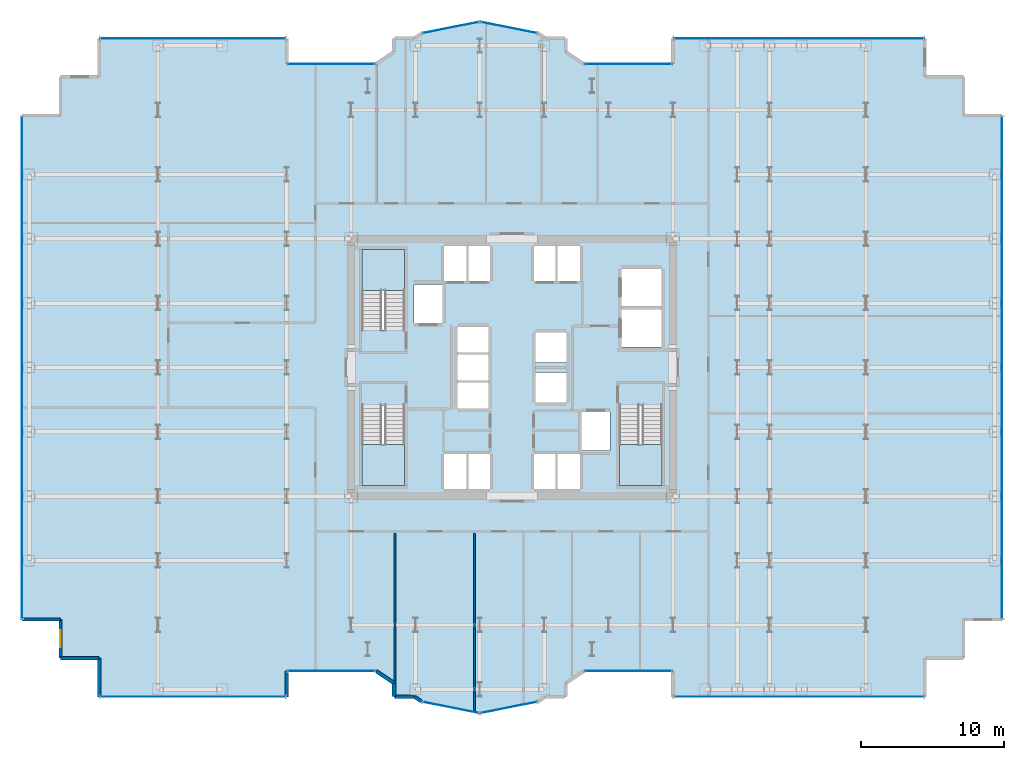
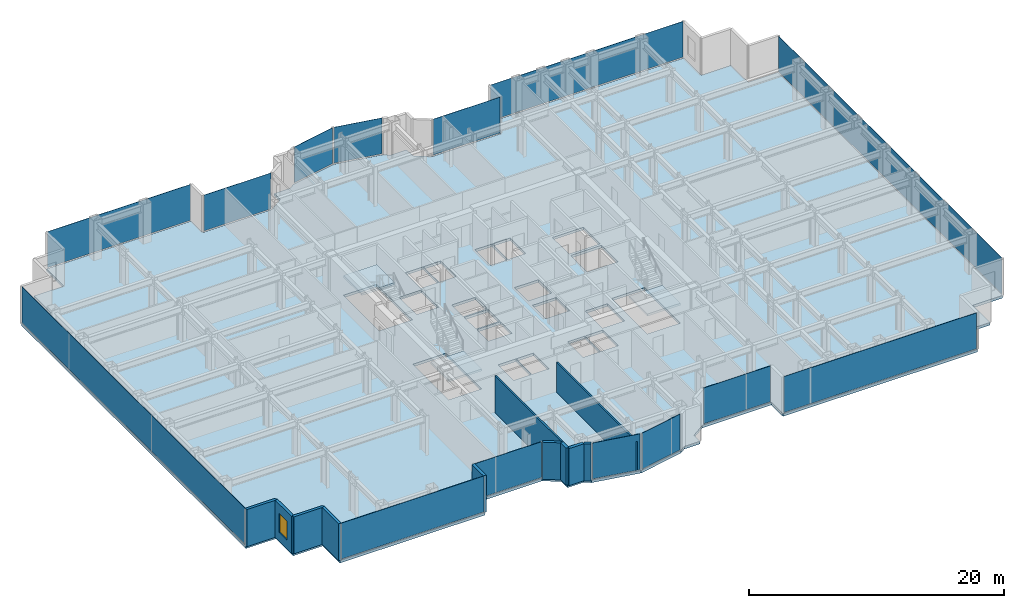
# One storey, part 19 of 25: 14 plates, 11 walls, 4 slabs, 1 window, 1 opening, 17 elements without a shape of their own.
"""IFC4 building model written with IfcOpenShell, lengths in metres."""

from ifc_helpers import new_model, si_unit, direction, frame, frame_2d, origin, origin_2d, place, context, subcontext, project, spatial, polyline, rectangle, outline, extrude, source, transform, mapped, material, layer, layer_set, type_object, element, fill, aggregate, save


model = new_model("IFC4")

# Units and contexts
model_context = context("Model", 3, precision=1e-05, world=origin(), true_north=direction((0.0, 1.0)))
body_context = subcontext(model_context, "Body", "Model", "MODEL_VIEW")
ifc_project = project(units=[si_unit("LENGTHUNIT", "METRE"), si_unit("AREAUNIT", "SQUARE_METRE"), si_unit("VOLUMEUNIT", "CUBIC_METRE"), si_unit("PLANEANGLEUNIT", "RADIAN"), si_unit("MASSUNIT", "GRAM", prefix="KILO")], contexts=[model_context])

# Site, building, storey
site_placement = place(None, origin())
site = spatial("IfcSite", under=ifc_project, at=site_placement, CompositionType="ELEMENT")
building_placement = place(site_placement, origin())
building = spatial("IfcBuilding", under=site, at=building_placement, Name="Nefas-Gora Pilgrimage Tower", CompositionType="ELEMENT")
storey_placement = place(building_placement, frame((0.0, 0.0, 109.800048828125)))
storey = spatial("IfcBuildingStorey", under=building, at=storey_placement, Name="L26", CompositionType="ELEMENT", Elevation=109.800048828125)

# Slab
ifc_material_1 = material(Name="Concrete C40/50", Category="concrete")
ifc_layer_1 = layer(ifc_material_1, 0.25)
ifc_layer_set_1 = layer_set([ifc_layer_1], Name="Concrete C40/50")
slab_type_1 = type_object("IfcSlabType", Name="SLB-TWR-250", PredefinedType="FLOOR", material=ifc_layer_set_1)
slab_1_placement = place(storey_placement, frame((0.0, 0.0, -0.25)))
element("IfcSlab", 1, at=slab_1_placement, inside=storey, type_object=slab_type_1, Name="L26 Structural Floor Slab", PredefinedType="FLOOR", context=body_context, shape_type="SweptSolid", body=[
    extrude(outline(polyline([(5.01806640625, -21.219970703125), (11.25, -21.219970703125), (11.25, -23.02001953125), (28.8701171875, -23.02001953125), (28.8701171875, -20.320068359375), (31.570068359375, -20.320068359375), (31.570068359375, -17.6201171875), (34.27001953125, -17.6201171875), (34.27001953125, 17.6201171875), (31.570068359375, 17.6201171875), (31.570068359375, 20.320068359375), (28.8701171875, 20.320068359375), (28.8701171875, 23.02001953125), (11.25, 23.02001953125), (11.25, 21.219970703125), (5.01806640625, 21.219970703125), (3.75, 22.0673828125), (3.75, 23.02001953125), (2.32421875, 23.02001953125), (1.807373046875, 23.365234375), (-2.25, 24.17236328125), (-6.307373046875, 23.365234375), (-6.82421875, 23.02001953125), (-8.25, 23.02001953125), (-8.25, 22.0673828125), (-9.51806640625, 21.219970703125), (-15.75, 21.219970703125), (-15.75, 23.02001953125), (-28.8701171875, 23.02001953125), (-28.8701171875, 20.320068359375), (-31.570068359375, 20.320068359375), (-31.570068359375, 17.6201171875), (-34.27001953125, 17.6201171875), (-34.27001953125, -17.6201171875), (-31.570068359375, -17.6201171875), (-31.570068359375, -20.320068359375), (-28.8701171875, -20.320068359375), (-28.8701171875, -23.02001953125), (-15.75, -23.02001953125), (-15.75, -21.219970703125), (-9.51806640625, -21.219970703125), (-8.25, -22.0673828125), (-8.25, -23.02001953125), (-6.82421875, -23.02001953125), (-6.307373046875, -23.365234375), (-2.25, -24.17236328125), (1.807373046875, -23.365234375), (2.32421875, -23.02001953125), (3.75, -23.02001953125), (3.75, -22.0673828125), (5.01806640625, -21.219970703125)]), holes=[polyline([(-10.5, 2.639892578125), (-10.5, 8.25), (-7.5, 8.25), (-7.5, 2.639892578125), (-10.5, 2.639892578125)]), polyline([(10.5, -2.639892578125), (10.5, -8.25), (7.5, -8.25), (7.5, -2.639892578125), (10.5, -2.639892578125)]), polyline([(-7.5, -2.639892578125), (-7.5, -8.25), (-10.5, -8.25), (-10.5, -2.639892578125), (-7.5, -2.639892578125)]), polyline([(-6.85009765625, 5.800048828125), (-4.85009765625, 5.800048828125), (-4.85009765625, 3.10009765625), (-6.85009765625, 3.10009765625), (-6.85009765625, 5.800048828125)]), polyline([(4.85009765625, -3.10009765625), (6.85009765625, -3.10009765625), (6.85009765625, -5.800048828125), (4.85009765625, -5.800048828125), (4.85009765625, -3.10009765625)]), polyline([(7.64990234375, 4.050048828125), (10.449951171875, 4.050048828125), (10.449951171875, 1.449951171875), (7.64990234375, 1.449951171875), (7.64990234375, 4.050048828125)]), polyline([(7.64990234375, 6.89990234375), (10.449951171875, 6.89990234375), (10.449951171875, 4.300048828125), (7.64990234375, 4.300048828125), (7.64990234375, 6.89990234375)]), polyline([(-4.75, 8.5), (-3.14990234375, 8.5), (-3.14990234375, 6.050048828125), (-4.75, 6.050048828125), (-4.75, 8.5)]), polyline([(-3.10009765625, 8.5), (-1.550048828125, 8.5), (-1.550048828125, 6.050048828125), (-3.10009765625, 6.050048828125), (-3.10009765625, 8.5)]), polyline([(1.550048828125, 8.5), (3.10009765625, 8.5), (3.10009765625, 6.050048828125), (1.550048828125, 6.050048828125), (1.550048828125, 8.5)]), polyline([(3.14990234375, 8.5), (4.75, 8.5), (4.75, 6.050048828125), (3.14990234375, 6.050048828125), (3.14990234375, 8.5)]), polyline([(-4.75, -6.050048828125), (-3.14990234375, -6.050048828125), (-3.14990234375, -8.5), (-4.75, -8.5), (-4.75, -6.050048828125)]), polyline([(-3.10009765625, -6.050048828125), (-1.550048828125, -6.050048828125), (-1.550048828125, -8.5), (-3.10009765625, -8.5), (-3.10009765625, -6.050048828125)]), polyline([(1.550048828125, -6.050048828125), (3.10009765625, -6.050048828125), (3.10009765625, -8.5), (1.550048828125, -8.5), (1.550048828125, -6.050048828125)]), polyline([(3.14990234375, -6.050048828125), (4.75, -6.050048828125), (4.75, -8.5), (3.14990234375, -8.5), (3.14990234375, -6.050048828125)]), polyline([(-3.800048828125, -1.050048828125), (-1.64990234375, -1.050048828125), (-1.64990234375, -2.85009765625), (-3.800048828125, -2.85009765625), (-3.800048828125, -1.050048828125)]), polyline([(-3.800048828125, 0.89990234375), (-1.64990234375, 0.89990234375), (-1.64990234375, -0.89990234375), (-3.800048828125, -0.89990234375), (-3.800048828125, 0.89990234375)]), polyline([(-3.800048828125, 2.85009765625), (-1.64990234375, 2.85009765625), (-1.64990234375, 1.050048828125), (-3.800048828125, 1.050048828125), (-3.800048828125, 2.85009765625)]), polyline([(1.64990234375, -0.35009765625), (3.800048828125, -0.35009765625), (3.800048828125, -2.449951171875), (1.64990234375, -2.449951171875), (1.64990234375, -0.35009765625)]), polyline([(1.64990234375, 2.449951171875), (3.800048828125, 2.449951171875), (3.800048828125, 0.35009765625), (1.64990234375, 0.35009765625), (1.64990234375, 2.449951171875)])]), origin(), (0.0, 0.0, 1.0), 0.25),
])

# Stair, slab
ifc_material_2 = material(Name="Concrete C45/55", Category="concrete")
stair_type = type_object("IfcStairType", Name="STR-1400-R1727", PredefinedType="HALF_TURN_STAIR", material=ifc_material_2)
stair_1_placement = place(storey_placement, origin())
stair_1 = element("IfcStair", 2, at=stair_1_placement, inside=storey, type_object=stair_type, Name="L26 Pressurised Tower Exit Stair ST-01", PredefinedType="HALF_TURN_STAIR")
ifc_layer_2 = layer(ifc_material_1, 0.199951171875)
ifc_layer_set_2 = layer_set([ifc_layer_2], Name="Concrete C40/50")
slab_type_2 = type_object("IfcSlabType", Name="STR-LAND-200", PredefinedType="LANDING", material=ifc_layer_set_2)
slab_2_placement = place(storey_placement, frame((0.0, 0.0, 1.699951171875)))
slab_2 = element("IfcSlab", 3, at=slab_2_placement, type_object=slab_type_2, Name="ST-01 landing 1", PredefinedType="LANDING", context=body_context, shape_type="SweptSolid", body=[
    extrude(outline(polyline([(-7.5, 5.39990234375), (-7.5, 8.25), (-10.5, 8.25), (-10.5, 5.39990234375), (-7.5, 5.39990234375)])), origin(), (0.0, 0.0, 1.0), 0.199951171875),
])
aggregate(stair_1, [slab_2])

stair_2_placement = place(storey_placement, origin())
stair_2 = element("IfcStair", 4, at=stair_2_placement, inside=storey, type_object=stair_type, Name="L26 Pressurised Tower Exit Stair ST-02", PredefinedType="HALF_TURN_STAIR")
slab_3_placement = place(storey_placement, frame((0.0, 0.0, 1.699951171875)))
slab_3 = element("IfcSlab", 5, at=slab_3_placement, type_object=slab_type_2, Name="ST-02 landing 1", PredefinedType="LANDING", context=body_context, shape_type="SweptSolid", body=[
    extrude(outline(polyline([(7.5, -5.39990234375), (7.5, -8.25), (10.5, -8.25), (10.5, -5.39990234375), (7.5, -5.39990234375)])), origin(), (0.0, 0.0, 1.0), 0.199951171875),
])
aggregate(stair_2, [slab_3])

stair_3_placement = place(storey_placement, origin())
stair_3 = element("IfcStair", 6, at=stair_3_placement, inside=storey, type_object=stair_type, Name="L26 Pressurised Tower Exit Stair ST-03", PredefinedType="HALF_TURN_STAIR")
slab_4_placement = place(storey_placement, frame((0.0, 0.0, 1.699951171875)))
slab_4 = element("IfcSlab", 7, at=slab_4_placement, type_object=slab_type_2, Name="ST-03 landing 1", PredefinedType="LANDING", context=body_context, shape_type="SweptSolid", body=[
    extrude(outline(polyline([(-10.5, -5.39990234375), (-10.5, -8.25), (-7.5, -8.25), (-7.5, -5.39990234375), (-10.5, -5.39990234375)])), origin(), (0.0, 0.0, 1.0), 0.199951171875),
])
aggregate(stair_3, [slab_4])

# Curtain wall, plate
ifc_material_3 = material(Name="Dark ceramic-fritted solar-control aluminium-glass curtain wall", Category="aluminium")
ifc_layer_3 = layer(ifc_material_3, 0.219970703125)
ifc_layer_set_3 = layer_set([ifc_layer_3], Name="Dark ceramic-fritted solar-control aluminium-glass curtain wall")
curtain_wall_type_1 = type_object("IfcCurtainWallType", Name="CW-SYS-5", PredefinedType="NOTDEFINED", material=ifc_layer_set_3)
curtain_wall_1_placement = place(storey_placement, origin())
curtain_wall_1 = element("IfcCurtainWall", 8, at=curtain_wall_1_placement, inside=storey, type_object=curtain_wall_type_1, Name="L26 Unitised Curtain Wall CW5", PredefinedType="NOTDEFINED")
ifc_material_4 = material(Name="Dark ceramic-printed low-e insulated glass", Category="glass")
ifc_layer_4 = layer(ifc_material_4, 0.028076171875)
ifc_layer_set_4 = layer_set([ifc_layer_4], Name="Dark ceramic-printed low-e insulated glass")
plate_type_1 = type_object("IfcPlateType", Name="CWP-PNL-5", PredefinedType="CURTAIN_PANEL", material=ifc_layer_set_4)
shared_shape_1 = source(origin(), body_context, "Body", "SweptSolid", [
    extrude(rectangle(XDim=6.052001953125, YDim=0.028076171875, at=origin_2d()), origin(), (0.0, 0.0, 1.0), 3.43994140625),
])
plate_1_placement = place(storey_placement, frame((8.134033203125, -21.219970703125, 0.10009765625), z_axis=(0.0, 0.0, 1.0), x_axis=(1.0, 0.0, 0.0)))
plate_1 = element("IfcPlate", 9, at=plate_1_placement, type_object=plate_type_1, Name="CW5 Ceramic-Fritted Glazing Panel 1", PredefinedType="CURTAIN_PANEL", context=body_context, shape_type="MappedRepresentation", body=[
    mapped(shared_shape_1, transform((0.0, 0.0, 0.0), x_axis=(1.0, 0.0, 0.0), y_axis=(0.0, 1.0, 0.0), z_axis=(0.0, 0.0, 1.0), scale=1.0)),
])
aggregate(curtain_wall_1, [plate_1])

curtain_wall_2_placement = place(storey_placement, origin())
curtain_wall_2 = element("IfcCurtainWall", 10, at=curtain_wall_2_placement, inside=storey, type_object=curtain_wall_type_1, Name="L26 Unitised Curtain Wall CW5", PredefinedType="NOTDEFINED")
plate_2_placement = place(storey_placement, frame((8.134033203125, 21.219970703125, 0.10009765625), z_axis=(0.0, 0.0, 1.0), x_axis=(-1.0, 0.0, 0.0)))
plate_2 = element("IfcPlate", 11, at=plate_2_placement, type_object=plate_type_1, Name="CW5 Ceramic-Fritted Glazing Panel 1", PredefinedType="CURTAIN_PANEL", context=body_context, shape_type="MappedRepresentation", body=[
    mapped(shared_shape_1, transform((0.0, 0.0, 0.0), x_axis=(1.0, 0.0, 0.0), y_axis=(0.0, 1.0, 0.0), z_axis=(0.0, 0.0, 1.0), scale=1.0)),
])
aggregate(curtain_wall_2, [plate_2])

curtain_wall_3_placement = place(storey_placement, origin())
curtain_wall_3 = element("IfcCurtainWall", 12, at=curtain_wall_3_placement, inside=storey, type_object=curtain_wall_type_1, Name="L26 Unitised Curtain Wall CW5", PredefinedType="NOTDEFINED")
plate_3_placement = place(storey_placement, frame((-12.634033203125, 21.219970703125, 0.10009765625), z_axis=(0.0, 0.0, 1.0), x_axis=(-1.0, 0.0, 0.0)))
plate_3 = element("IfcPlate", 13, at=plate_3_placement, type_object=plate_type_1, Name="CW5 Ceramic-Fritted Glazing Panel 1", PredefinedType="CURTAIN_PANEL", context=body_context, shape_type="MappedRepresentation", body=[
    mapped(shared_shape_1, transform((0.0, 0.0, 0.0), x_axis=(1.0, 0.0, 0.0), y_axis=(0.0, 1.0, 0.0), z_axis=(0.0, 0.0, 1.0), scale=1.0)),
])
aggregate(curtain_wall_3, [plate_3])

curtain_wall_4_placement = place(storey_placement, origin())
curtain_wall_4 = element("IfcCurtainWall", 14, at=curtain_wall_4_placement, inside=storey, type_object=curtain_wall_type_1, Name="L26 Unitised Curtain Wall CW5", PredefinedType="NOTDEFINED")
plate_4_placement = place(storey_placement, frame((-12.634033203125, -21.219970703125, 0.10009765625), z_axis=(0.0, 0.0, 1.0), x_axis=(1.0, 0.0, 0.0)))
plate_4 = element("IfcPlate", 15, at=plate_4_placement, type_object=plate_type_1, Name="CW5 Ceramic-Fritted Glazing Panel 1", PredefinedType="CURTAIN_PANEL", context=body_context, shape_type="MappedRepresentation", body=[
    mapped(shared_shape_1, transform((0.0, 0.0, 0.0), x_axis=(1.0, 0.0, 0.0), y_axis=(0.0, 1.0, 0.0), z_axis=(0.0, 0.0, 1.0), scale=1.0)),
])
aggregate(curtain_wall_4, [plate_4])

ifc_layer_5 = layer(ifc_material_3, 0.219970703125)
ifc_layer_set_5 = layer_set([ifc_layer_5], Name="Dark ceramic-fritted solar-control aluminium-glass curtain wall")
curtain_wall_type_2 = type_object("IfcCurtainWallType", Name="CW-SYS-2", PredefinedType="NOTDEFINED", material=ifc_layer_set_5)
curtain_wall_5_placement = place(storey_placement, origin())
curtain_wall_5 = element("IfcCurtainWall", 16, at=curtain_wall_5_placement, inside=storey, type_object=curtain_wall_type_2, Name="L26 Unitised Curtain Wall CW2", PredefinedType="NOTDEFINED")
ifc_layer_6 = layer(ifc_material_4, 0.031982421875)
ifc_layer_set_6 = layer_set([ifc_layer_6], Name="Dark ceramic-printed low-e insulated glass")
plate_type_2 = type_object("IfcPlateType", Name="CWP-PNL-2", PredefinedType="CURTAIN_PANEL", material=ifc_layer_set_6)
shared_shape_2 = source(origin(), body_context, "Body", "SweptSolid", [
    extrude(rectangle(XDim=17.43994140625, YDim=0.031982421875, at=origin_2d()), origin(), (0.0, 0.0, 1.0), 3.43994140625),
])
plate_5_placement = place(storey_placement, frame((20.06005859375, -23.02001953125, 0.10009765625), z_axis=(0.0, 0.0, 1.0), x_axis=(1.0, 0.0, 0.0)))
plate_5 = element("IfcPlate", 17, at=plate_5_placement, type_object=plate_type_2, Name="CW2 Ceramic-Fritted Glazing Panel 1", PredefinedType="CURTAIN_PANEL", context=body_context, shape_type="MappedRepresentation", body=[
    mapped(shared_shape_2, transform((0.0, 0.0, 0.0), x_axis=(1.0, 0.0, 0.0), y_axis=(0.0, 1.0, 0.0), z_axis=(0.0, 0.0, 1.0), scale=1.0)),
])
aggregate(curtain_wall_5, [plate_5])

curtain_wall_6_placement = place(storey_placement, origin())
curtain_wall_6 = element("IfcCurtainWall", 18, at=curtain_wall_6_placement, inside=storey, type_object=curtain_wall_type_2, Name="L26 Unitised Curtain Wall CW2", PredefinedType="NOTDEFINED")
plate_6_placement = place(storey_placement, frame((20.06005859375, 23.02001953125, 0.10009765625), z_axis=(0.0, 0.0, 1.0), x_axis=(-1.0, 0.0, 0.0)))
plate_6 = element("IfcPlate", 19, at=plate_6_placement, type_object=plate_type_2, Name="CW2 Ceramic-Fritted Glazing Panel 1", PredefinedType="CURTAIN_PANEL", context=body_context, shape_type="MappedRepresentation", body=[
    mapped(shared_shape_2, transform((0.0, 0.0, 0.0), x_axis=(1.0, 0.0, 0.0), y_axis=(0.0, 1.0, 0.0), z_axis=(0.0, 0.0, 1.0), scale=1.0)),
])
aggregate(curtain_wall_6, [plate_6])

curtain_wall_7_placement = place(storey_placement, origin())
curtain_wall_7 = element("IfcCurtainWall", 20, at=curtain_wall_7_placement, inside=storey, type_object=curtain_wall_type_1, Name="L26 Unitised Curtain Wall CW5", PredefinedType="NOTDEFINED")
shared_shape_3 = source(origin(), body_context, "Body", "SweptSolid", [
    extrude(rectangle(XDim=3.956787109375, YDim=0.028076171875, at=origin_2d()), origin(), (0.0, 0.0, 1.0), 3.43994140625),
])
plate_7_placement = place(storey_placement, frame((-0.22119140625, 23.768798828125, 0.10009765625), z_axis=(0.0, 0.0, 1.0), x_axis=(-0.980782896852, 0.195102304554, 0.0)))
plate_7 = element("IfcPlate", 21, at=plate_7_placement, type_object=plate_type_1, Name="CW5 Ceramic-Fritted Glazing Panel 1", PredefinedType="CURTAIN_PANEL", context=body_context, shape_type="MappedRepresentation", body=[
    mapped(shared_shape_3, transform((0.0, 0.0, 0.0), x_axis=(1.0, 0.0, 0.0), y_axis=(0.0, 1.0, 0.0), z_axis=(0.0, 0.0, 1.0), scale=1.0)),
])
aggregate(curtain_wall_7, [plate_7])

curtain_wall_8_placement = place(storey_placement, origin())
curtain_wall_8 = element("IfcCurtainWall", 22, at=curtain_wall_8_placement, inside=storey, type_object=curtain_wall_type_1, Name="L26 Unitised Curtain Wall CW5", PredefinedType="NOTDEFINED")
plate_8_placement = place(storey_placement, frame((-4.278564453125, 23.768798828125, 0.10009765625), z_axis=(0.0, 0.0, 1.0), x_axis=(-0.980782896852, -0.195102304554, 0.0)))
plate_8 = element("IfcPlate", 23, at=plate_8_placement, type_object=plate_type_1, Name="CW5 Ceramic-Fritted Glazing Panel 1", PredefinedType="CURTAIN_PANEL", context=body_context, shape_type="MappedRepresentation", body=[
    mapped(shared_shape_3, transform((0.0, 0.0, 0.0), x_axis=(1.0, 0.0, 0.0), y_axis=(0.0, 1.0, 0.0), z_axis=(0.0, 0.0, 1.0), scale=1.0)),
])
aggregate(curtain_wall_8, [plate_8])

curtain_wall_9_placement = place(storey_placement, origin())
curtain_wall_9 = element("IfcCurtainWall", 24, at=curtain_wall_9_placement, inside=storey, type_object=curtain_wall_type_1, Name="L26 Unitised Curtain Wall CW5", PredefinedType="NOTDEFINED")
plate_9_placement = place(storey_placement, frame((-4.278564453125, -23.768798828125, 0.10009765625), z_axis=(0.0, 0.0, 1.0), x_axis=(0.980782896852, -0.195102304554, 0.0)))
plate_9 = element("IfcPlate", 25, at=plate_9_placement, type_object=plate_type_1, Name="CW5 Ceramic-Fritted Glazing Panel 1", PredefinedType="CURTAIN_PANEL", context=body_context, shape_type="MappedRepresentation", body=[
    mapped(shared_shape_3, transform((0.0, 0.0, 0.0), x_axis=(1.0, 0.0, 0.0), y_axis=(0.0, 1.0, 0.0), z_axis=(0.0, 0.0, 1.0), scale=1.0)),
])
aggregate(curtain_wall_9, [plate_9])

curtain_wall_10_placement = place(storey_placement, origin())
curtain_wall_10 = element("IfcCurtainWall", 26, at=curtain_wall_10_placement, inside=storey, type_object=curtain_wall_type_1, Name="L26 Unitised Curtain Wall CW5", PredefinedType="NOTDEFINED")
plate_10_placement = place(storey_placement, frame((-0.221435546875, -23.768798828125, 0.10009765625), z_axis=(0.0, 0.0, 1.0), x_axis=(0.980782896852, 0.195102304554, 0.0)))
plate_10 = element("IfcPlate", 27, at=plate_10_placement, type_object=plate_type_1, Name="CW5 Ceramic-Fritted Glazing Panel 1", PredefinedType="CURTAIN_PANEL", context=body_context, shape_type="MappedRepresentation", body=[
    mapped(shared_shape_3, transform((0.0, 0.0, 0.0), x_axis=(1.0, 0.0, 0.0), y_axis=(0.0, 1.0, 0.0), z_axis=(0.0, 0.0, 1.0), scale=1.0)),
])
aggregate(curtain_wall_10, [plate_10])

curtain_wall_11_placement = place(storey_placement, origin())
curtain_wall_11 = element("IfcCurtainWall", 28, at=curtain_wall_11_placement, inside=storey, type_object=curtain_wall_type_2, Name="L26 Unitised Curtain Wall CW2", PredefinedType="NOTDEFINED")
shared_shape_4 = source(origin(), body_context, "Body", "SweptSolid", [
    extrude(rectangle(XDim=12.93994140625, YDim=0.031982421875, at=origin_2d()), origin(), (0.0, 0.0, 1.0), 3.43994140625),
])
plate_11_placement = place(storey_placement, frame((-22.31005859375, 23.02001953125, 0.10009765625), z_axis=(0.0, 0.0, 1.0), x_axis=(-1.0, 0.0, 0.0)))
plate_11 = element("IfcPlate", 29, at=plate_11_placement, type_object=plate_type_2, Name="CW2 Ceramic-Fritted Glazing Panel 1", PredefinedType="CURTAIN_PANEL", context=body_context, shape_type="MappedRepresentation", body=[
    mapped(shared_shape_4, transform((0.0, 0.0, 0.0), x_axis=(1.0, 0.0, 0.0), y_axis=(0.0, 1.0, 0.0), z_axis=(0.0, 0.0, 1.0), scale=1.0)),
])
aggregate(curtain_wall_11, [plate_11])

curtain_wall_12_placement = place(storey_placement, origin())
curtain_wall_12 = element("IfcCurtainWall", 30, at=curtain_wall_12_placement, inside=storey, type_object=curtain_wall_type_2, Name="L26 Unitised Curtain Wall CW2", PredefinedType="NOTDEFINED")
plate_12_placement = place(storey_placement, frame((-22.31005859375, -23.02001953125, 0.10009765625), z_axis=(0.0, 0.0, 1.0), x_axis=(1.0, 0.0, 0.0)))
plate_12 = element("IfcPlate", 31, at=plate_12_placement, type_object=plate_type_2, Name="CW2 Ceramic-Fritted Glazing Panel 1", PredefinedType="CURTAIN_PANEL", context=body_context, shape_type="MappedRepresentation", body=[
    mapped(shared_shape_4, transform((0.0, 0.0, 0.0), x_axis=(1.0, 0.0, 0.0), y_axis=(0.0, 1.0, 0.0), z_axis=(0.0, 0.0, 1.0), scale=1.0)),
])
aggregate(curtain_wall_12, [plate_12])

curtain_wall_13_placement = place(storey_placement, origin())
curtain_wall_13 = element("IfcCurtainWall", 32, at=curtain_wall_13_placement, inside=storey, type_object=curtain_wall_type_2, Name="L26 Unitised Curtain Wall CW2", PredefinedType="NOTDEFINED")
shared_shape_5 = source(origin(), body_context, "Body", "SweptSolid", [
    extrude(rectangle(XDim=35.06005859375, YDim=0.031982421875, at=origin_2d()), origin(), (0.0, 0.0, 1.0), 3.43994140625),
])
plate_13_placement = place(storey_placement, frame((34.27001953125, 0.0, 0.10009765625), z_axis=(0.0, 0.0, 1.0), x_axis=(0.0, 1.0, 0.0)))
plate_13 = element("IfcPlate", 33, at=plate_13_placement, type_object=plate_type_2, Name="CW2 Ceramic-Fritted Glazing Panel 1", PredefinedType="CURTAIN_PANEL", context=body_context, shape_type="MappedRepresentation", body=[
    mapped(shared_shape_5, transform((0.0, 0.0, 0.0), x_axis=(1.0, 0.0, 0.0), y_axis=(0.0, 1.0, 0.0), z_axis=(0.0, 0.0, 1.0), scale=1.0)),
])
aggregate(curtain_wall_13, [plate_13])

curtain_wall_14_placement = place(storey_placement, origin())
curtain_wall_14 = element("IfcCurtainWall", 34, at=curtain_wall_14_placement, inside=storey, type_object=curtain_wall_type_2, Name="L26 Unitised Curtain Wall CW2", PredefinedType="NOTDEFINED")
plate_14_placement = place(storey_placement, frame((-34.27001953125, 0.0, 0.10009765625), z_axis=(0.0, 0.0, 1.0), x_axis=(0.0, -1.0, 0.0)))
plate_14 = element("IfcPlate", 35, at=plate_14_placement, type_object=plate_type_2, Name="CW2 Ceramic-Fritted Glazing Panel 1", PredefinedType="CURTAIN_PANEL", context=body_context, shape_type="MappedRepresentation", body=[
    mapped(shared_shape_5, transform((0.0, 0.0, 0.0), x_axis=(1.0, 0.0, 0.0), y_axis=(0.0, 1.0, 0.0), z_axis=(0.0, 0.0, 1.0), scale=1.0)),
])
aggregate(curtain_wall_14, [plate_14])

# Walls
ifc_material_5 = material(Name="Precast concrete C40/50", Category="concrete")
ifc_layer_7 = layer(ifc_material_5, 0.260009765625)
ifc_layer_set_7 = layer_set([ifc_layer_7], Name="Precast concrete C40/50")
wall_type_1 = type_object("IfcWallType", Name="EW-PORTAL-260", PredefinedType="SOLIDWALL", material=ifc_layer_set_7)
shared_shape_6 = source(origin(), body_context, "Body", "SweptSolid", [
    extrude(rectangle(XDim=1.800048828125, YDim=0.260009765625, at=frame_2d((0.89990234375, 0.0))), origin(), (0.0, 0.0, 1.0), 3.550048828125),
])
wall_1_placement = place(storey_placement, frame((-15.75, -23.02001953125, 0.0), z_axis=(0.0, 0.0, 1.0), x_axis=(0.0, 1.0, 0.0)))
element("IfcWall", 36, at=wall_1_placement, inside=storey, type_object=wall_type_1, Name="L26 Lobe Shoulder Precast Spandrel Pier 28", PredefinedType="SOLIDWALL", context=body_context, shape_type="MappedRepresentation", body=[
    mapped(shared_shape_6, transform((0.0, 0.0, 0.0), x_axis=(1.0, 0.0, 0.0), y_axis=(0.0, 1.0, 0.0), z_axis=(0.0, 0.0, 1.0), scale=1.0)),
])
ifc_material_6 = material(Name="Precast concrete C45/55", Category="concrete")
ifc_layer_8 = layer(ifc_material_6, 0.239990234375)
ifc_layer_set_8 = layer_set([ifc_layer_8], Name="Precast concrete C45/55")
wall_type_2 = type_object("IfcWallType", Name="EW-SERR-240", PredefinedType="SHEAR", material=ifc_layer_set_8)
shared_shape_7 = source(origin(), body_context, "Body", "SweptSolid", [
    extrude(rectangle(XDim=2.699951171875, YDim=0.239990234375, at=frame_2d((1.35009765625, 0.0))), origin(), (0.0, 0.0, 1.0), 3.550048828125),
])
wall_2_placement = place(storey_placement, frame((-34.27001953125, -17.6201171875, 0.0), z_axis=(0.0, 0.0, 1.0), x_axis=(1.0, 0.0, 0.0)))
element("IfcWall", 37, at=wall_2_placement, inside=storey, type_object=wall_type_2, Name="L26 Serrated Corner Shear Pier Wall 24", PredefinedType="SHEAR", context=body_context, shape_type="MappedRepresentation", body=[
    mapped(shared_shape_7, transform((0.0, 0.0, 0.0), x_axis=(1.0, 0.0, 0.0), y_axis=(0.0, 1.0, 0.0), z_axis=(0.0, 0.0, 1.0), scale=1.0)),
])

# Wall, opening, window
wall_3_placement = place(storey_placement, frame((-31.570068359375, -17.6201171875, 0.0), z_axis=(0.0, 0.0, 1.0), x_axis=(0.0, -1.0, 0.0)))
wall_3 = element("IfcWall", 38, at=wall_3_placement, inside=storey, type_object=wall_type_2, Name="L26 Serrated Corner Shear Pier Wall 25", PredefinedType="SHEAR", context=body_context, shape_type="MappedRepresentation", body=[
    mapped(shared_shape_7, transform((0.0, 0.0, 0.0), x_axis=(1.0, 0.0, 0.0), y_axis=(0.0, 1.0, 0.0), z_axis=(0.0, 0.0, 1.0), scale=1.0)),
])
opening_placement = place(wall_3_placement, frame((0.75, 0.0, 0.85009765625)))
opening = element("IfcOpeningElement", 39, at=opening_placement, cuts=wall_3, Name="Opening W-V1", PredefinedType="OPENING", context=body_context, shape_type="SweptSolid", body=[
    extrude(rectangle(XDim=1.199951171875, YDim=1.800048828125, at=frame_2d((0.60009765625, 0.89990234375))), frame((0.0, 0.1298828125, 0.0), z_axis=(0.0, -1.0, 0.0), x_axis=(1.0, 0.0, 0.0)), (0.0, 0.0, 1.0), 0.260009765625),
])
ifc_material_7 = material(Name="Dark ceramic-fritted operable aluminium-glass window", Category="aluminium")
window_type = type_object("IfcWindowType", Name="WIN-VENT-1200x1800", PartitioningType="SINGLE_PANEL", PredefinedType="WINDOW", material=ifc_material_7)
shared_shape_8 = source(origin(), body_context, "Body", "SweptSolid", [
    extrude(rectangle(XDim=1.199951171875, YDim=1.800048828125, at=frame_2d((0.60009765625, 0.89990234375))), frame((0.0, 0.030029296875, 0.0), z_axis=(0.0, -1.0, 0.0), x_axis=(1.0, 0.0, 0.0)), (0.0, 0.0, 1.0), 0.06005859375),
])
window_placement = place(opening_placement, origin())
window = element("IfcWindow", 40, at=window_placement, inside=storey, type_object=window_type, Name="L26 Operable Parallel-Outswing Window 25", OverallHeight=1.800048828125, OverallWidth=1.199951171875, PartitioningType="SINGLE_PANEL", PredefinedType="WINDOW", context=body_context, shape_type="MappedRepresentation", body=[
    mapped(shared_shape_8, transform((0.0, 0.0, 0.0), x_axis=(1.0, 0.0, 0.0), y_axis=(0.0, 1.0, 0.0), z_axis=(0.0, 0.0, 1.0), scale=1.0)),
])
fill(opening, window)

# Walls
for number, where, z_axis, x_axis, name in (
    (41, (-31.570068359375, -20.320068359375, 0.0), (0.0, 0.0, 1.0), (1.0, 0.0, 0.0), "L26 Serrated Corner Shear Pier Wall 26"),
    (42, (-28.8701171875, -20.320068359375, 0.0), (0.0, 0.0, 1.0), (0.0, -1.0, 0.0), "L26 Serrated Corner Shear Pier Wall 27"),
):
    element("IfcWall", number, at=place(storey_placement, frame(where, z_axis=z_axis, x_axis=x_axis)), inside=storey, type_object=wall_type_2, Name=name, PredefinedType="SHEAR", context=body_context, shape_type="MappedRepresentation", body=[
        mapped(shared_shape_7, transform((0.0, 0.0, 0.0), x_axis=(1.0, 0.0, 0.0), y_axis=(0.0, 1.0, 0.0), z_axis=(0.0, 0.0, 1.0), scale=1.0)),
    ])
shared_shape_9 = source(origin(), body_context, "Body", "SweptSolid", [
    extrude(rectangle(XDim=1.468994140625, YDim=0.260009765625, at=frame_2d((0.734375, 0.0))), origin(), (0.0, 0.0, 1.0), 3.550048828125),
])
wall_4_placement = place(storey_placement, frame((-9.49462890625, -21.235595703125, 0.0), z_axis=(0.0, 0.0, 1.0), x_axis=(0.831461760506, -0.555581983884, 0.0)))
element("IfcWall", 43, at=wall_4_placement, inside=storey, type_object=wall_type_1, Name="L26 Lobe Shoulder Precast Spandrel Pier 29", PredefinedType="SOLIDWALL", context=body_context, shape_type="MappedRepresentation", body=[
    mapped(shared_shape_9, transform((0.0, 0.0, 0.0), x_axis=(1.0, 0.0, 0.0), y_axis=(0.0, 1.0, 0.0), z_axis=(0.0, 0.0, 1.0), scale=1.0)),
])
shared_shape_10 = source(origin(), body_context, "Body", "SweptSolid", [
    extrude(rectangle(XDim=0.896728515625, YDim=0.260009765625, at=frame_2d((0.4482421875, 0.0))), origin(), (0.0, 0.0, 1.0), 3.550048828125),
])
wall_5_placement = place(storey_placement, frame((-8.25, -22.09521484375, 0.0), z_axis=(0.0, 0.0, 1.0), x_axis=(0.0, -1.0, 0.0)))
element("IfcWall", 44, at=wall_5_placement, inside=storey, type_object=wall_type_1, Name="L26 Lobe Shoulder Precast Spandrel Pier 30", PredefinedType="SOLIDWALL", context=body_context, shape_type="MappedRepresentation", body=[
    mapped(shared_shape_10, transform((0.0, 0.0, 0.0), x_axis=(1.0, 0.0, 0.0), y_axis=(0.0, 1.0, 0.0), z_axis=(0.0, 0.0, 1.0), scale=1.0)),
])
shared_shape_11 = source(origin(), body_context, "Body", "SweptSolid", [
    extrude(rectangle(XDim=1.369873046875, YDim=0.260009765625, at=frame_2d((0.68505859375, 0.0))), origin(), (0.0, 0.0, 1.0), 3.550048828125),
])
wall_6_placement = place(storey_placement, frame((-8.221923828125, -23.02001953125, 0.0), z_axis=(0.0, 0.0, 1.0), x_axis=(1.0, 0.0, 0.0)))
element("IfcWall", 45, at=wall_6_placement, inside=storey, type_object=wall_type_1, Name="L26 Lobe Shoulder Precast Spandrel Pier 31", PredefinedType="SOLIDWALL", context=body_context, shape_type="MappedRepresentation", body=[
    mapped(shared_shape_11, transform((0.0, 0.0, 0.0), x_axis=(1.0, 0.0, 0.0), y_axis=(0.0, 1.0, 0.0), z_axis=(0.0, 0.0, 1.0), scale=1.0)),
])
shared_shape_12 = source(origin(), body_context, "Body", "SweptSolid", [
    extrude(rectangle(XDim=0.5654296875, YDim=0.260009765625, at=frame_2d((0.28271484375, 0.0))), origin(), (0.0, 0.0, 1.0), 3.550048828125),
])
wall_7_placement = place(storey_placement, frame((-6.80078125, -23.03564453125, 0.0), z_axis=(0.0, 0.0, 1.0), x_axis=(0.831651492666, -0.555297933317, 0.0)))
element("IfcWall", 46, at=wall_7_placement, inside=storey, type_object=wall_type_1, Name="L26 Lobe Shoulder Precast Spandrel Pier 32", PredefinedType="SOLIDWALL", context=body_context, shape_type="MappedRepresentation", body=[
    mapped(shared_shape_12, transform((0.0, 0.0, 0.0), x_axis=(1.0, 0.0, 0.0), y_axis=(0.0, 1.0, 0.0), z_axis=(0.0, 0.0, 1.0), scale=1.0)),
])
ifc_material_8 = material(Name="Gypsum twin-stud partition")
ifc_layer_9 = layer(ifc_material_8, 0.139892578125)
ifc_layer_set_9 = layer_set([ifc_layer_9], Name="Gypsum twin-stud partition")
wall_type_3 = type_object("IfcWallType", Name="IW-UNIT-140", PredefinedType="PARTITIONING", material=ifc_layer_set_9)
shared_shape_13 = source(origin(), body_context, "Body", "SweptSolid", [
    extrude(rectangle(XDim=10.500244140625, YDim=0.139892578125, at=frame_2d((5.25, 0.0))), origin(), (0.0, 0.0, 1.0), 3.534912109375),
])
wall_8_placement = place(storey_placement, frame((-8.169921875, -22.09033203125, 0.0), z_axis=(0.0, 0.0, 1.0), x_axis=(0.0, 1.0, 0.0)))
element("IfcWall", 47, at=wall_8_placement, inside=storey, type_object=wall_type_3, Name="L26 Pilgrim Contemplative Lounge Partition Wall 49", PredefinedType="PARTITIONING", context=body_context, shape_type="MappedRepresentation", body=[
    mapped(shared_shape_13, transform((0.0, 0.0, 0.0), x_axis=(1.0, 0.0, 0.0), y_axis=(0.0, 1.0, 0.0), z_axis=(0.0, 0.0, 1.0), scale=1.0)),
])
shared_shape_14 = source(origin(), body_context, "Body", "SweptSolid", [
    extrude(rectangle(XDim=12.533935546875, YDim=0.139892578125, at=frame_2d((6.26708984375, 0.0))), origin(), (0.0, 0.0, 1.0), 2.875),
])
wall_9_placement = place(storey_placement, frame((-2.60498046875, -24.1240234375, 0.0), z_axis=(0.0, 0.0, 1.0), x_axis=(0.0, 1.0, 0.0)))
element("IfcWall", 48, at=wall_9_placement, inside=storey, type_object=wall_type_3, Name="L26 Pilgrim Contemplative Lounge Partition Wall 51", PredefinedType="PARTITIONING", context=body_context, shape_type="MappedRepresentation", body=[
    mapped(shared_shape_14, transform((0.0, 0.0, 0.0), x_axis=(1.0, 0.0, 0.0), y_axis=(0.0, 1.0, 0.0), z_axis=(0.0, 0.0, 1.0), scale=1.0)),
])

save(model, "model.ifc")
